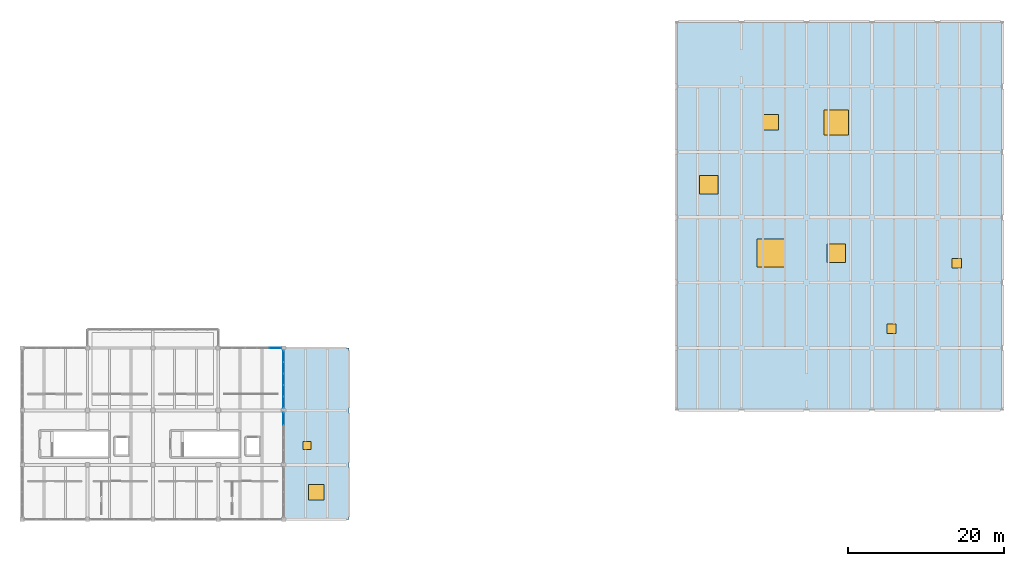
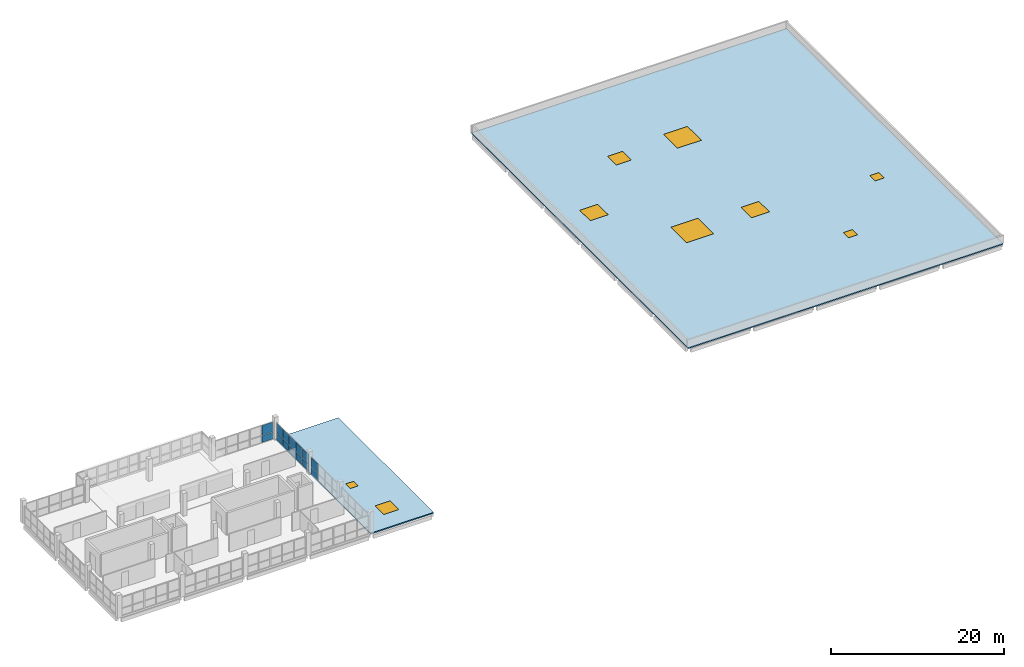
# One storey, part 21 of 24: 14 plates, 6 windows, 3 doors, 2 slabs, 9 openings, 3 elements without a shape of their own.
"""IFC4 building model written with IfcOpenShell, lengths in metres."""

from ifc_helpers import new_model, si_unit, direction, frame, origin, origin_2d, place, context, subcontext, project, spatial, polyline, rectangle, outline, extrude, material, layer, layer_set, type_object, element, fill, aggregate, save


model = new_model("IFC4")

# Units and contexts
model_context = context("Model", 3, precision=1e-05, world=origin(), true_north=direction((0.0, 1.0)))
body_context = subcontext(model_context, "Body", "Model", "MODEL_VIEW")
ifc_project = project(units=[si_unit("LENGTHUNIT", "METRE"), si_unit("AREAUNIT", "SQUARE_METRE"), si_unit("VOLUMEUNIT", "CUBIC_METRE"), si_unit("PLANEANGLEUNIT", "RADIAN"), si_unit("MASSUNIT", "GRAM", prefix="KILO"), si_unit("THERMODYNAMICTEMPERATUREUNIT", "KELVIN"), si_unit("POWERUNIT", "WATT")], contexts=[model_context])

# Site, building, storey
site_placement = place(None, origin())
site = spatial("IfcSite", under=ifc_project, at=site_placement, CompositionType="ELEMENT")
building_placement = place(site_placement, origin())
building = spatial("IfcBuilding", under=site, at=building_placement, Name="Mavoryth Pier Ferry Terminal", CompositionType="ELEMENT")
storey_placement = place(building_placement, frame((0.0, 0.0, 16.320068359375)))
storey = spatial("IfcBuildingStorey", under=building, at=storey_placement, Name="L04", CompositionType="ELEMENT", Elevation=16.320068359375)

# Curtain wall, plates
ifc_material_1 = material(Name="Anodised Aluminium and Solar-Control Low-E Glass", Category="aluminium")
ifc_layer_1 = layer(ifc_material_1, 0.260009765625, Name="Anodised Aluminium and Solar-Control Low-E Glass", Category="aluminium")
ifc_layer_set_1 = layer_set([ifc_layer_1], Name="Anodised Aluminium and Solar-Control Low-E Glass - CW-VTSBridge-Mod1500")
curtain_wall_type = type_object("IfcCurtainWallType", Name="CW-VTSBridge-Mod1500", PredefinedType="USERDEFINED", material=ifc_layer_set_1)
curtain_wall_1_placement = place(storey_placement, origin())
curtain_wall_1 = element("IfcCurtainWall", 1, at=curtain_wall_1_placement, inside=storey, type_object=curtain_wall_type, Name="Curtain Wall CW-0422-156", ObjectType="UNITISED CURTAIN WALL", PredefinedType="USERDEFINED")
ifc_material_2 = material(Name="Solar-Control Low-E Laminated Double Glazing", Category="glass")
ifc_layer_2 = layer(ifc_material_2, 0.02392578125, Name="Solar-Control Low-E Laminated Double Glazing", Category="glass")
ifc_layer_set_2 = layer_set([ifc_layer_2], Name="Solar-Control Low-E Laminated Double Glazing - Panel-LowE-DGU-24")
plate_type_1 = type_object("IfcPlateType", Name="Panel-LowE-DGU-24", PredefinedType="CURTAIN_PANEL", material=ifc_layer_set_2)
plate_1_placement = place(storey_placement, frame((74.52490234375, 22.0, 0.06005859375), z_axis=(0.0, 0.0, 1.0), x_axis=(-1.0, 0.0, 0.0)))
plate_1 = element("IfcPlate", 2, at=plate_1_placement, type_object=plate_type_1, Name="CW07 panel 1.1", PredefinedType="CURTAIN_PANEL", context=body_context, shape_type="SweptSolid", body=[
    extrude(rectangle(XDim=1.47998046875, YDim=0.02392578125, at=origin_2d()), origin(), (0.0, 0.0, 1.0), 0.9599609375),
])
plate_2_placement = place(storey_placement, frame((74.52490234375, 22.0, 1.080078125), z_axis=(0.0, 0.0, 1.0), x_axis=(-1.0, 0.0, 0.0)))
plate_2 = element("IfcPlate", 3, at=plate_2_placement, type_object=plate_type_1, Name="CW07 panel 1.2", PredefinedType="CURTAIN_PANEL", context=body_context, shape_type="SweptSolid", body=[
    extrude(rectangle(XDim=1.47998046875, YDim=0.02392578125, at=origin_2d()), origin(), (0.0, 0.0, 1.0), 1.385009765625),
])
aggregate(curtain_wall_1, [plate_1, plate_2])

curtain_wall_2_placement = place(storey_placement, origin())
curtain_wall_2 = element("IfcCurtainWall", 4, at=curtain_wall_2_placement, inside=storey, type_object=curtain_wall_type, Name="Curtain Wall CW-0433-160", ObjectType="UNITISED CURTAIN WALL", PredefinedType="USERDEFINED")
ifc_material_3 = material(Name="Marine Anti-Reflection Laminated Bridge Glass", Category="glass")
ifc_layer_3 = layer(ifc_material_3, 0.053955078125, Name="Marine Anti-Reflection Laminated Bridge Glass", Category="glass")
ifc_layer_set_3 = layer_set([ifc_layer_3], Name="Marine Anti-Reflection Laminated Bridge Glass - Panel-VTS-AntiGlare-54")
plate_type_2 = type_object("IfcPlateType", Name="Panel-VTS-AntiGlare-54", PredefinedType="CURTAIN_PANEL", material=ifc_layer_set_3)
plate_3_placement = place(storey_placement, frame((75.60009765625, 12.902587890625, 0.06494140625), z_axis=(0.0, 0.0, 1.0), x_axis=(0.0, 1.0, 0.0)))
plate_3 = element("IfcPlate", 5, at=plate_3_placement, type_object=plate_type_2, Name="CW07 panel 4.1", PredefinedType="CURTAIN_PANEL", context=body_context, shape_type="SweptSolid", body=[
    extrude(rectangle(XDim=1.514892578125, YDim=0.053955078125, at=origin_2d()), origin(), (0.0, 0.0, 1.0), 0.952392578125),
])
plate_4_placement = place(storey_placement, frame((75.60009765625, 12.902587890625, 1.08251953125), z_axis=(0.0, 0.0, 1.0), x_axis=(0.0, 1.0, 0.0)))
plate_4 = element("IfcPlate", 6, at=plate_4_placement, type_object=plate_type_2, Name="CW07 panel 4.2", PredefinedType="CURTAIN_PANEL", context=body_context, shape_type="SweptSolid", body=[
    extrude(rectangle(XDim=1.514892578125, YDim=0.053955078125, at=origin_2d()), origin(), (0.0, 0.0, 1.0), 1.327392578125),
])
aggregate(curtain_wall_2, [plate_3, plate_4])

curtain_wall_3_placement = place(storey_placement, origin())
curtain_wall_3 = element("IfcCurtainWall", 7, at=curtain_wall_3_placement, inside=storey, type_object=curtain_wall_type, Name="Curtain Wall CW-0433-161", ObjectType="UNITISED CURTAIN WALL", PredefinedType="USERDEFINED")
plate_5_placement = place(storey_placement, frame((75.60009765625, 15.0361328125, 0.06494140625), z_axis=(0.0, 0.0, 1.0), x_axis=(0.0, 1.0, 0.0)))
plate_5 = element("IfcPlate", 8, at=plate_5_placement, type_object=plate_type_2, Name="CW07 panel 1.1", PredefinedType="CURTAIN_PANEL", context=body_context, shape_type="SweptSolid", body=[
    extrude(rectangle(XDim=1.392578125, YDim=0.053955078125, at=origin_2d()), origin(), (0.0, 0.0, 1.0), 0.952392578125),
])
plate_6_placement = place(storey_placement, frame((75.60009765625, 15.0361328125, 1.08251953125), z_axis=(0.0, 0.0, 1.0), x_axis=(0.0, 1.0, 0.0)))
plate_6 = element("IfcPlate", 9, at=plate_6_placement, type_object=plate_type_2, Name="CW07 panel 1.2", PredefinedType="CURTAIN_PANEL", context=body_context, shape_type="SweptSolid", body=[
    extrude(rectangle(XDim=1.392578125, YDim=0.053955078125, at=origin_2d()), origin(), (0.0, 0.0, 1.0), 1.327392578125),
])
plate_7_placement = place(storey_placement, frame((75.60009765625, 16.510009765625, 0.06494140625), z_axis=(0.0, 0.0, 1.0), x_axis=(0.0, 1.0, 0.0)))
plate_7 = element("IfcPlate", 10, at=plate_7_placement, type_object=plate_type_2, Name="CW07 panel 2.1", PredefinedType="CURTAIN_PANEL", context=body_context, shape_type="SweptSolid", body=[
    extrude(rectangle(XDim=1.425048828125, YDim=0.053955078125, at=origin_2d()), origin(), (0.0, 0.0, 1.0), 0.952392578125),
])
plate_8_placement = place(storey_placement, frame((75.60009765625, 16.510009765625, 1.08251953125), z_axis=(0.0, 0.0, 1.0), x_axis=(0.0, 1.0, 0.0)))
plate_8 = element("IfcPlate", 11, at=plate_8_placement, type_object=plate_type_2, Name="CW07 panel 2.2", PredefinedType="CURTAIN_PANEL", context=body_context, shape_type="SweptSolid", body=[
    extrude(rectangle(XDim=1.425048828125, YDim=0.053955078125, at=origin_2d()), origin(), (0.0, 0.0, 1.0), 1.327392578125),
])
plate_9_placement = place(storey_placement, frame((75.60009765625, 18.0, 0.06494140625), z_axis=(0.0, 0.0, 1.0), x_axis=(0.0, 1.0, 0.0)))
plate_9 = element("IfcPlate", 12, at=plate_9_placement, type_object=plate_type_2, Name="CW07 panel 3.1", PredefinedType="CURTAIN_PANEL", context=body_context, shape_type="SweptSolid", body=[
    extrude(rectangle(XDim=1.425048828125, YDim=0.053955078125, at=origin_2d()), origin(), (0.0, 0.0, 1.0), 0.952392578125),
])
plate_10_placement = place(storey_placement, frame((75.60009765625, 18.0, 1.08251953125), z_axis=(0.0, 0.0, 1.0), x_axis=(0.0, 1.0, 0.0)))
plate_10 = element("IfcPlate", 13, at=plate_10_placement, type_object=plate_type_2, Name="CW07 panel 3.2", PredefinedType="CURTAIN_PANEL", context=body_context, shape_type="SweptSolid", body=[
    extrude(rectangle(XDim=1.425048828125, YDim=0.053955078125, at=origin_2d()), origin(), (0.0, 0.0, 1.0), 1.327392578125),
])
plate_11_placement = place(storey_placement, frame((75.60009765625, 19.489990234375, 0.06494140625), z_axis=(0.0, 0.0, 1.0), x_axis=(0.0, 1.0, 0.0)))
plate_11 = element("IfcPlate", 14, at=plate_11_placement, type_object=plate_type_2, Name="CW07 panel 4.1", PredefinedType="CURTAIN_PANEL", context=body_context, shape_type="SweptSolid", body=[
    extrude(rectangle(XDim=1.425048828125, YDim=0.053955078125, at=origin_2d()), origin(), (0.0, 0.0, 1.0), 0.952392578125),
])
plate_12_placement = place(storey_placement, frame((75.60009765625, 19.489990234375, 1.08251953125), z_axis=(0.0, 0.0, 1.0), x_axis=(0.0, 1.0, 0.0)))
plate_12 = element("IfcPlate", 15, at=plate_12_placement, type_object=plate_type_2, Name="CW07 panel 4.2", PredefinedType="CURTAIN_PANEL", context=body_context, shape_type="SweptSolid", body=[
    extrude(rectangle(XDim=1.425048828125, YDim=0.053955078125, at=origin_2d()), origin(), (0.0, 0.0, 1.0), 1.327392578125),
])
plate_13_placement = place(storey_placement, frame((75.60009765625, 20.9638671875, 0.06494140625), z_axis=(0.0, 0.0, 1.0), x_axis=(0.0, 1.0, 0.0)))
plate_13 = element("IfcPlate", 16, at=plate_13_placement, type_object=plate_type_2, Name="CW07 panel 5.1", PredefinedType="CURTAIN_PANEL", context=body_context, shape_type="SweptSolid", body=[
    extrude(rectangle(XDim=1.392578125, YDim=0.053955078125, at=origin_2d()), origin(), (0.0, 0.0, 1.0), 0.952392578125),
])
plate_14_placement = place(storey_placement, frame((75.60009765625, 20.9638671875, 1.08251953125), z_axis=(0.0, 0.0, 1.0), x_axis=(0.0, 1.0, 0.0)))
plate_14 = element("IfcPlate", 17, at=plate_14_placement, type_object=plate_type_2, Name="CW07 panel 5.2", PredefinedType="CURTAIN_PANEL", context=body_context, shape_type="SweptSolid", body=[
    extrude(rectangle(XDim=1.392578125, YDim=0.053955078125, at=origin_2d()), origin(), (0.0, 0.0, 1.0), 1.327392578125),
])
aggregate(curtain_wall_3, [plate_5, plate_6, plate_7, plate_8, plate_9, plate_10, plate_11, plate_12, plate_13, plate_14])

# Slab, openings, doors, windows
ifc_material_4 = material(Name="Concrete C35/45", Category="concrete")
ifc_layer_4 = layer(ifc_material_4, 0.159912109375, Name="Concrete C35/45", Category="concrete")
ifc_layer_set_4 = layer_set([ifc_layer_4], Name="Concrete C35/45 - Slab-Roof-Canopy-160")
slab_type = type_object("IfcSlabType", Name="Slab-Roof-Canopy-160", PredefinedType="ROOF", material=ifc_layer_set_4)
slab_1_placement = place(storey_placement, frame((0.0, 0.0, -0.16015625)))
slab_1 = element("IfcSlab", 18, at=slab_1_placement, inside=storey, type_object=slab_type, Name="Slab SLB-V4-RF", PredefinedType="ROOF", context=body_context, shape_type="SweptSolid", body=[
    extrude(outline(polyline([(126.0, 14.0), (168.0, 14.0), (168.0, 64.0), (126.0, 64.0), (126.0, 14.0)]), holes=[polyline([(136.39990234375, 32.39990234375), (140.0, 32.39990234375), (140.0, 36.0), (136.39990234375, 36.0), (136.39990234375, 32.39990234375)]), polyline([(145.0, 49.39990234375), (148.199951171875, 49.39990234375), (148.199951171875, 52.60009765625), (145.0, 52.60009765625), (145.0, 49.39990234375)]), polyline([(129.0, 41.800048828125), (131.39990234375, 41.800048828125), (131.39990234375, 44.199951171875), (129.0, 44.199951171875), (129.0, 41.800048828125)]), polyline([(145.39990234375, 33.0), (147.800048828125, 33.0), (147.800048828125, 35.39990234375), (145.39990234375, 35.39990234375), (145.39990234375, 33.0)]), polyline([(137.199951171875, 50.0), (139.199951171875, 50.0), (139.199951171875, 52.0), (137.199951171875, 52.0), (137.199951171875, 50.0)]), polyline([(153.10009765625, 23.89990234375), (154.300048828125, 23.89990234375), (154.300048828125, 25.10009765625), (153.10009765625, 25.10009765625), (153.10009765625, 23.89990234375)]), polyline([(161.5, 32.300048828125), (162.699951171875, 32.300048828125), (162.699951171875, 33.5), (161.5, 33.5), (161.5, 32.300048828125)])]), origin(), (0.0, 0.0, 1.0), 0.16015625),
])
opening_1_placement = place(slab_1_placement, frame((138.199951171875, 34.199951171875, 0.0)))
opening_1 = element("IfcOpeningElement", 19, at=opening_1_placement, cuts=slab_1, Name="Opening SK01", PredefinedType="OPENING", context=body_context, shape_type="SweptSolid", body=[
    extrude(rectangle(XDim=3.60009765625, YDim=3.60009765625, at=origin_2d()), frame((0.0, 0.0, -0.010009765625)), (0.0, 0.0, 1.0), 0.18017578125),
])
opening_2_placement = place(slab_1_placement, frame((146.60009765625, 51.0, 0.0)))
opening_2 = element("IfcOpeningElement", 20, at=opening_2_placement, cuts=slab_1, Name="Opening SK02", PredefinedType="OPENING", context=body_context, shape_type="SweptSolid", body=[
    extrude(rectangle(XDim=3.199951171875, YDim=3.199951171875, at=origin_2d()), frame((0.0, 0.0, -0.010009765625)), (0.0, 0.0, 1.0), 0.18017578125),
])
opening_3_placement = place(slab_1_placement, frame((130.199951171875, 43.0, 0.0)))
opening_3 = element("IfcOpeningElement", 21, at=opening_3_placement, cuts=slab_1, Name="Opening SK03", PredefinedType="OPENING", context=body_context, shape_type="SweptSolid", body=[
    extrude(rectangle(XDim=2.39990234375, YDim=2.39990234375, at=origin_2d()), frame((0.0, 0.0, -0.010009765625)), (0.0, 0.0, 1.0), 0.18017578125),
])
opening_4_placement = place(slab_1_placement, frame((146.60009765625, 34.199951171875, 0.0)))
opening_4 = element("IfcOpeningElement", 22, at=opening_4_placement, cuts=slab_1, Name="Opening SK03", PredefinedType="OPENING", context=body_context, shape_type="SweptSolid", body=[
    extrude(rectangle(XDim=2.39990234375, YDim=2.39990234375, at=origin_2d()), frame((0.0, 0.0, -0.010009765625)), (0.0, 0.0, 1.0), 0.18017578125),
])
opening_5_placement = place(slab_1_placement, frame((138.199951171875, 51.0, 0.0)))
opening_5 = element("IfcOpeningElement", 23, at=opening_5_placement, cuts=slab_1, Name="Opening SK04", PredefinedType="OPENING", context=body_context, shape_type="SweptSolid", body=[
    extrude(rectangle(XDim=2.0, YDim=2.0, at=origin_2d()), frame((0.0, 0.0, -0.010009765625)), (0.0, 0.0, 1.0), 0.18017578125),
])
opening_6_placement = place(slab_1_placement, frame((153.699951171875, 24.5, 0.0)))
opening_6 = element("IfcOpeningElement", 24, at=opening_6_placement, cuts=slab_1, Name="Opening RH01-01", PredefinedType="OPENING", context=body_context, shape_type="SweptSolid", body=[
    extrude(rectangle(XDim=1.199951171875, YDim=1.199951171875, at=origin_2d()), frame((0.0, 0.0, -0.010009765625)), (0.0, 0.0, 1.0), 0.18017578125),
])
opening_7_placement = place(slab_1_placement, frame((162.10009765625, 32.89990234375, 0.0)))
opening_7 = element("IfcOpeningElement", 25, at=opening_7_placement, cuts=slab_1, Name="Opening RH01-02", PredefinedType="OPENING", context=body_context, shape_type="SweptSolid", body=[
    extrude(rectangle(XDim=1.199951171875, YDim=1.199951171875, at=origin_2d()), frame((0.0, 0.0, -0.010009765625)), (0.0, 0.0, 1.0), 0.18017578125),
])
ifc_material_5 = material(Name="Thermally Broken Anodised Aluminium and Laminated Glass", Category="aluminium")
door_type_1 = type_object("IfcDoorType", Name="Hatch-RoofAccess-1200x1200", OperationType="NOTDEFINED", PredefinedType="TRAPDOOR", material=ifc_material_5)
door_1_placement = place(opening_6_placement, frame((0.0, 0.0, 0.110107421875)))
door_1 = element("IfcDoor", 26, at=door_1_placement, inside=storey, type_object=door_type_1, Name="Roof Maintenance Access Hatch 1", OperationType="SINGLE_SWING_LEFT", OverallHeight=1.199951171875, OverallWidth=1.199951171875, PredefinedType="TRAPDOOR", context=body_context, shape_type="SweptSolid", body=[
    extrude(rectangle(XDim=1.199951171875, YDim=1.199951171875, at=origin_2d()), origin(), (0.0, 0.0, 1.0), 0.050048828125),
])
fill(opening_6, door_1)
door_2_placement = place(opening_7_placement, frame((0.0, 0.0, 0.110107421875)))
door_2 = element("IfcDoor", 27, at=door_2_placement, inside=storey, type_object=door_type_1, Name="Roof Maintenance Access Hatch 2", OperationType="SINGLE_SWING_LEFT", OverallHeight=1.199951171875, OverallWidth=1.199951171875, PredefinedType="TRAPDOOR", context=body_context, shape_type="SweptSolid", body=[
    extrude(rectangle(XDim=1.199951171875, YDim=1.199951171875, at=origin_2d()), origin(), (0.0, 0.0, 1.0), 0.050048828125),
])
fill(opening_7, door_2)
ifc_material_6 = material(Name="Thermally Broken Aluminium and Low-E Double Glazing", Category="aluminium")
window_type_1 = type_object("IfcWindowType", Name="Skylight-Pavilion-2000x2000", PartitioningType="SINGLE_PANEL", PredefinedType="SKYLIGHT", material=ifc_material_6)
window_1_placement = place(opening_5_placement, frame((0.0, 0.0, 0.110107421875)))
window_1 = element("IfcWindow", 28, at=window_1_placement, inside=storey, type_object=window_type_1, Name="Roof Skylight 5", OverallHeight=2.0, OverallWidth=2.0, PartitioningType="SINGLE_PANEL", PredefinedType="SKYLIGHT", context=body_context, shape_type="SweptSolid", body=[
    extrude(rectangle(XDim=2.0, YDim=2.0, at=origin_2d()), origin(), (0.0, 0.0, 1.0), 0.050048828125),
])
fill(opening_5, window_1)
window_type_2 = type_object("IfcWindowType", Name="Skylight-Roof-3200x3200", PartitioningType="SINGLE_PANEL", PredefinedType="SKYLIGHT", material=ifc_material_6)
window_2_placement = place(opening_2_placement, frame((0.0, 0.0, 0.110107421875)))
window_2 = element("IfcWindow", 29, at=window_2_placement, inside=storey, type_object=window_type_2, Name="Roof Skylight 2", OverallHeight=3.199951171875, OverallWidth=3.199951171875, PartitioningType="SINGLE_PANEL", PredefinedType="SKYLIGHT", context=body_context, shape_type="SweptSolid", body=[
    extrude(rectangle(XDim=3.199951171875, YDim=3.199951171875, at=origin_2d()), origin(), (0.0, 0.0, 1.0), 0.050048828125),
])
fill(opening_2, window_2)
window_type_3 = type_object("IfcWindowType", Name="Skylight-Roof-3600x3600", PartitioningType="SINGLE_PANEL", PredefinedType="SKYLIGHT", material=ifc_material_6)
window_3_placement = place(opening_1_placement, frame((0.0, 0.0, 0.110107421875)))
window_3 = element("IfcWindow", 30, at=window_3_placement, inside=storey, type_object=window_type_3, Name="Roof Skylight 1", OverallHeight=3.60009765625, OverallWidth=3.60009765625, PartitioningType="SINGLE_PANEL", PredefinedType="SKYLIGHT", context=body_context, shape_type="SweptSolid", body=[
    extrude(rectangle(XDim=3.60009765625, YDim=3.60009765625, at=origin_2d()), origin(), (0.0, 0.0, 1.0), 0.050048828125),
])
fill(opening_1, window_3)
window_type_4 = type_object("IfcWindowType", Name="Skylight-VTS-2400x2400", PartitioningType="SINGLE_PANEL", PredefinedType="SKYLIGHT", material=ifc_material_6)
window_4_placement = place(opening_3_placement, frame((0.0, 0.0, 0.110107421875)))
window_4 = element("IfcWindow", 31, at=window_4_placement, inside=storey, type_object=window_type_4, Name="Roof Skylight 3", OverallHeight=2.39990234375, OverallWidth=2.39990234375, PartitioningType="SINGLE_PANEL", PredefinedType="SKYLIGHT", context=body_context, shape_type="SweptSolid", body=[
    extrude(rectangle(XDim=2.39990234375, YDim=2.39990234375, at=origin_2d()), origin(), (0.0, 0.0, 1.0), 0.050048828125),
])
fill(opening_3, window_4)
window_5_placement = place(opening_4_placement, frame((0.0, 0.0, 0.110107421875)))
window_5 = element("IfcWindow", 32, at=window_5_placement, inside=storey, type_object=window_type_4, Name="Roof Skylight 4", OverallHeight=2.39990234375, OverallWidth=2.39990234375, PartitioningType="SINGLE_PANEL", PredefinedType="SKYLIGHT", context=body_context, shape_type="SweptSolid", body=[
    extrude(rectangle(XDim=2.39990234375, YDim=2.39990234375, at=origin_2d()), origin(), (0.0, 0.0, 1.0), 0.050048828125),
])
fill(opening_4, window_5)

# Slab, openings, door, window
slab_2_placement = place(storey_placement, frame((0.0, 0.0, -0.16015625)))
slab_2 = element("IfcSlab", 33, at=slab_2_placement, inside=storey, type_object=slab_type, Name="Slab SLB-V5-SET-RF", PredefinedType="ROOF", context=body_context, shape_type="SweptSolid", body=[
    extrude(outline(polyline([(75.60009765625, 0.0), (84.0, 0.0), (84.0, 22.0), (75.60009765625, 22.0), (75.60009765625, 0.0)]), holes=[polyline([(78.800048828125, 2.5), (80.800048828125, 2.5), (80.800048828125, 4.5), (78.800048828125, 4.5), (78.800048828125, 2.5)]), polyline([(78.074951171875, 8.97509765625), (79.125, 8.97509765625), (79.125, 10.02490234375), (78.074951171875, 10.02490234375), (78.074951171875, 8.97509765625)])]), origin(), (0.0, 0.0, 1.0), 0.16015625),
])
opening_8_placement = place(slab_2_placement, frame((79.800048828125, 3.5, 0.0)))
opening_8 = element("IfcOpeningElement", 34, at=opening_8_placement, cuts=slab_2, Name="Opening SK04", PredefinedType="OPENING", context=body_context, shape_type="SweptSolid", body=[
    extrude(rectangle(XDim=2.0, YDim=2.0, at=origin_2d()), frame((0.0, 0.0, -0.010009765625)), (0.0, 0.0, 1.0), 0.18017578125),
])
opening_9_placement = place(slab_2_placement, frame((78.60009765625, 9.5, 0.0)))
opening_9 = element("IfcOpeningElement", 35, at=opening_9_placement, cuts=slab_2, Name="Opening RH02-03", PredefinedType="OPENING", context=body_context, shape_type="SweptSolid", body=[
    extrude(rectangle(XDim=1.050048828125, YDim=1.050048828125, at=origin_2d()), frame((0.0, 0.0, -0.010009765625)), (0.0, 0.0, 1.0), 0.18017578125),
])
door_type_2 = type_object("IfcDoorType", Name="Hatch-RoofAccess-1050x1050", OperationType="NOTDEFINED", PredefinedType="TRAPDOOR", material=ifc_material_5)
door_3_placement = place(opening_9_placement, frame((0.0, 0.0, 0.110107421875)))
door_3 = element("IfcDoor", 36, at=door_3_placement, inside=storey, type_object=door_type_2, Name="Roof Maintenance Access Hatch 3", OperationType="SINGLE_SWING_LEFT", OverallHeight=1.050048828125, OverallWidth=1.050048828125, PredefinedType="TRAPDOOR", context=body_context, shape_type="SweptSolid", body=[
    extrude(rectangle(XDim=1.050048828125, YDim=1.050048828125, at=origin_2d()), origin(), (0.0, 0.0, 1.0), 0.050048828125),
])
fill(opening_9, door_3)
window_6_placement = place(opening_8_placement, frame((0.0, 0.0, 0.110107421875)))
window_6 = element("IfcWindow", 37, at=window_6_placement, inside=storey, type_object=window_type_1, Name="Roof Skylight 6", OverallHeight=2.0, OverallWidth=2.0, PartitioningType="SINGLE_PANEL", PredefinedType="SKYLIGHT", context=body_context, shape_type="SweptSolid", body=[
    extrude(rectangle(XDim=2.0, YDim=2.0, at=origin_2d()), origin(), (0.0, 0.0, 1.0), 0.050048828125),
])
fill(opening_8, window_6)

save(model, "model.ifc")
